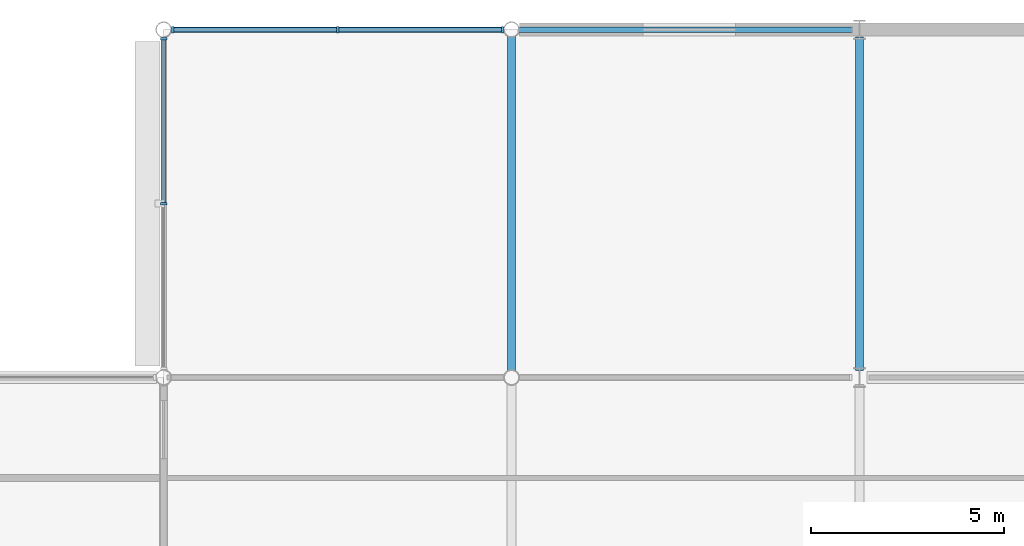
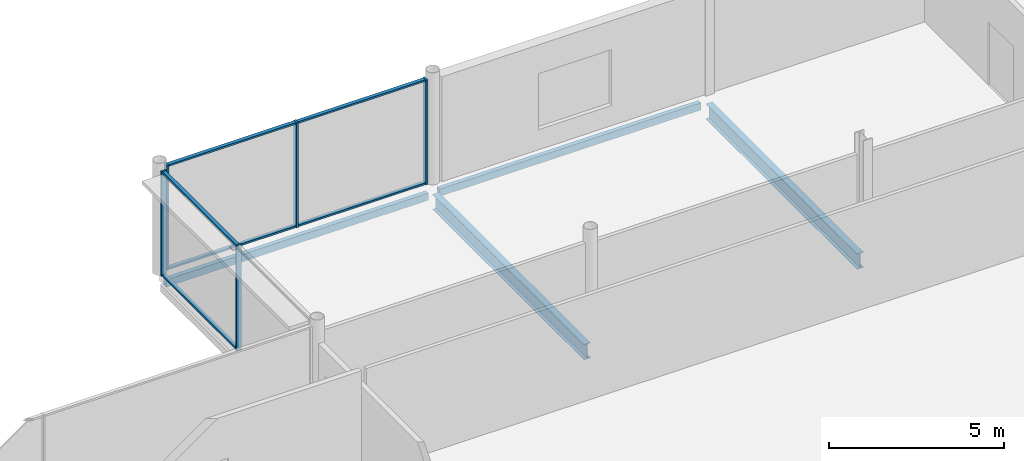
# One storey, part 49 of 96: 11 members, 4 beams, 2 elements without a shape of their own.
"""IFC4 building model written with IfcOpenShell, lengths in metres."""

from ifc_helpers import new_model, si_unit, direction, frame, origin, origin_2d, place, context, subcontext, project, spatial, rectangle, hollow_rectangle, i_section, extrude, material, layer, layer_set, material_profile, profile_set, type_object, element, aggregate, save


model = new_model("IFC4")

# Units and contexts
model_context = context("Model", 3, precision=1e-05, world=origin(), true_north=direction((0.0, 1.0)))
body_context = subcontext(model_context, "Body", "Model", "MODEL_VIEW")
ifc_project = project(units=[si_unit("LENGTHUNIT", "METRE"), si_unit("AREAUNIT", "SQUARE_METRE"), si_unit("VOLUMEUNIT", "CUBIC_METRE"), si_unit("PLANEANGLEUNIT", "RADIAN"), si_unit("MASSUNIT", "GRAM", prefix="KILO")], contexts=[model_context])

# Site, building, storey
site_placement = place(None, origin())
site = spatial("IfcSite", under=ifc_project, at=site_placement, CompositionType="ELEMENT")
building_placement = place(site_placement, origin())
building = spatial("IfcBuilding", under=site, at=building_placement, Name="Kisiwana Market Hall", CompositionType="ELEMENT")
storey_placement = place(building_placement, frame((0.0, 0.0, 25.5)))
storey = spatial("IfcBuildingStorey", under=building, at=storey_placement, Name="L05", CompositionType="ELEMENT", Elevation=25.5)

# Beams
ifc_material_1 = material(Name="Steel S355", Category="steel")
ifc_material_profile_1 = material_profile(ifc_material_1, i_section(OverallWidth=0.209228515625, OverallDepth=0.533203125, WebThickness=0.010009765625, FlangeThickness=0.015625, at=origin_2d()), Name="UB 533x210x92")
ifc_profile_set_1 = profile_set([ifc_material_profile_1], Name="Steel S355")
beam_type_1 = type_object("IfcBeamType", Name="BM-GIRD-UB533", PredefinedType="BEAM", material=ifc_profile_set_1)
beam_1_placement = place(storey_placement, frame((162.0, 102.18017578125, -0.58154296875), z_axis=(0.0, 1.0, 0.0), x_axis=(-1.0, 0.0, 0.0)))
element("IfcBeam", 1, at=beam_1_placement, inside=storey, type_object=beam_type_1, Name="Primary girder B-1556", PredefinedType="BEAM", context=body_context, shape_type="SweptSolid", body=[
    extrude(i_section(OverallWidth=0.209228515625, OverallDepth=0.533203125, WebThickness=0.010009765625, FlangeThickness=0.015625, at=origin_2d()), origin(), (0.0, 0.0, 1.0), 8.6396484375),
])
beam_2_placement = place(storey_placement, frame((171.0, 102.1865234375, -0.58154296875), z_axis=(0.0, 1.0, 0.0), x_axis=(-1.0, 0.0, 0.0)))
element("IfcBeam", 2, at=beam_2_placement, inside=storey, type_object=beam_type_1, Name="Primary girder B-1560", PredefinedType="BEAM", context=body_context, shape_type="SweptSolid", body=[
    extrude(i_section(OverallWidth=0.209228515625, OverallDepth=0.533203125, WebThickness=0.010009765625, FlangeThickness=0.015625, at=origin_2d()), origin(), (0.0, 0.0, 1.0), 8.626953125),
])
ifc_material_2 = material(Name="Steel S355", Category="steel")
ifc_material_profile_2 = material_profile(ifc_material_2, hollow_rectangle(XDim=0.14990234375, YDim=0.25, WallThickness=0.010009765625, at=origin_2d()), Name="RHS 250x150x10.0")
ifc_profile_set_2 = profile_set([ifc_material_profile_2], Name="Steel S355")
beam_type_2 = type_object("IfcBeamType", Name="BM-SPAN-RHS250", PredefinedType="SPANDREL", material=ifc_profile_set_2)
beam_3_placement = place(storey_placement, frame((153.182373046875, 111.0, -0.43994140625), z_axis=(1.0, 0.0, 0.0), x_axis=(0.0, 1.0, 0.0)))
element("IfcBeam", 3, at=beam_3_placement, inside=storey, type_object=beam_type_2, Name="Floor beam B-1665", PredefinedType="SPANDREL", context=body_context, shape_type="SweptSolid", body=[
    extrude(hollow_rectangle(XDim=0.14990234375, YDim=0.25, WallThickness=0.010009765625, at=origin_2d()), origin(), (0.0, 0.0, 1.0), 8.63525390625),
])
beam_4_placement = place(storey_placement, frame((162.182373046875, 111.0, -0.43994140625), z_axis=(1.0, 0.0, 0.0), x_axis=(0.0, 1.0, 0.0)))
element("IfcBeam", 4, at=beam_4_placement, inside=storey, type_object=beam_type_2, Name="Floor beam B-1666", PredefinedType="SPANDREL", context=body_context, shape_type="SweptSolid", body=[
    extrude(hollow_rectangle(XDim=0.14990234375, YDim=0.25, WallThickness=0.010009765625, at=origin_2d()), origin(), (0.0, 0.0, 1.0), 8.624267578125),
])

# Curtain wall, members
ifc_material_3 = material(Name="Double-glazed solar-control low-E IGU", Category="glass")
ifc_layer = layer(ifc_material_3, 0.159912109375)
ifc_layer_set = layer_set([ifc_layer], Name="CW-ZNA-EW-8200")
curtain_wall_type = type_object("IfcCurtainWallType", Name="CW-ZNA-EW-8200", PredefinedType="USERDEFINED", material=ifc_layer_set)
curtain_wall_1_placement = place(storey_placement, origin())
curtain_wall_1 = element("IfcCurtainWall", 5, at=curtain_wall_1_placement, inside=storey, type_object=curtain_wall_type, Name="Unitised curtain wall CW-158 (L05)", ObjectType="UNITISED CURTAIN WALL", PredefinedType="USERDEFINED")
ifc_material_4 = material(Name="Aluminium alloy 6063-T6", Category="aluminium")
ifc_material_profile_3 = material_profile(ifc_material_4, rectangle(XDim=0.06005859375, YDim=0.159912109375, at=origin_2d()), Name="ALU MULLION 60x160")
ifc_profile_set_3 = profile_set([ifc_material_profile_3], Name="Aluminium alloy 6063-T6")
member_type_1 = type_object("IfcMemberType", Name="CW-MULL-60x160", PredefinedType="MULLION", material=ifc_profile_set_3)
member_1_placement = place(storey_placement, frame((153.233154296875, 111.0, 0.0), z_axis=(0.0, 0.0, 1.0), x_axis=(1.0, 0.0, 0.0)))
member_1 = element("IfcMember", 6, at=member_1_placement, type_object=member_type_1, Name="CW-158 mullion 1", PredefinedType="MULLION", context=body_context, shape_type="SweptSolid", body=[
    extrude(rectangle(XDim=0.06005859375, YDim=0.159912109375, at=origin_2d()), origin(), (0.0, 0.0, 1.0), 3.655029296875),
])
member_2_placement = place(storey_placement, frame((157.5, 111.0, 0.0), z_axis=(0.0, 0.0, 1.0), x_axis=(1.0, 0.0, 0.0)))
member_2 = element("IfcMember", 7, at=member_2_placement, type_object=member_type_1, Name="CW-158 mullion 2", PredefinedType="MULLION", context=body_context, shape_type="SweptSolid", body=[
    extrude(rectangle(XDim=0.06005859375, YDim=0.159912109375, at=origin_2d()), origin(), (0.0, 0.0, 1.0), 3.655029296875),
])
member_3_placement = place(storey_placement, frame((161.766845703125, 111.0, 0.0), z_axis=(0.0, 0.0, 1.0), x_axis=(1.0, 0.0, 0.0)))
member_3 = element("IfcMember", 8, at=member_3_placement, type_object=member_type_1, Name="CW-158 mullion 3", PredefinedType="MULLION", context=body_context, shape_type="SweptSolid", body=[
    extrude(rectangle(XDim=0.06005859375, YDim=0.159912109375, at=origin_2d()), origin(), (0.0, 0.0, 1.0), 3.655029296875),
])

curtain_wall_2_placement = place(storey_placement, origin())
curtain_wall_2 = element("IfcCurtainWall", 9, at=curtain_wall_2_placement, inside=storey, type_object=curtain_wall_type, Name="Unitised curtain wall CW-167 (L05)", ObjectType="UNITISED CURTAIN WALL", PredefinedType="USERDEFINED")
member_4_placement = place(storey_placement, frame((153.0, 106.5, 0.0), z_axis=(0.0, 0.0, 1.0), x_axis=(0.0, 1.0, 0.0)))
member_4 = element("IfcMember", 10, at=member_4_placement, type_object=member_type_1, Name="CW-167 mullion 2", PredefinedType="MULLION", context=body_context, shape_type="SweptSolid", body=[
    extrude(rectangle(XDim=0.06005859375, YDim=0.159912109375, at=origin_2d()), origin(), (0.0, 0.0, 1.0), 3.655029296875),
])
member_5_placement = place(storey_placement, frame((153.0, 110.766845703125, 0.0), z_axis=(0.0, 0.0, 1.0), x_axis=(0.0, 1.0, 0.0)))
member_5 = element("IfcMember", 11, at=member_5_placement, type_object=member_type_1, Name="CW-167 mullion 3", PredefinedType="MULLION", context=body_context, shape_type="SweptSolid", body=[
    extrude(rectangle(XDim=0.06005859375, YDim=0.159912109375, at=origin_2d()), origin(), (0.0, 0.0, 1.0), 3.655029296875),
])

# Member
ifc_material_5 = material(Name="Aluminium alloy 6063-T6", Category="aluminium")
ifc_material_profile_4 = material_profile(ifc_material_5, rectangle(XDim=0.1201171875, YDim=0.06005859375, at=origin_2d()), Name="ALU TRANSOM 60x120")
ifc_profile_set_4 = profile_set([ifc_material_profile_4], Name="Aluminium alloy 6063-T6")
member_type_2 = type_object("IfcMemberType", Name="CW-TRAN-60x120", PredefinedType="USERDEFINED", material=ifc_profile_set_4)
member_6_placement = place(storey_placement, frame((153.26318359375, 111.0, 0.030029296875), z_axis=(1.0, 0.0, 0.0), x_axis=(0.0, 1.0, 0.0)))
member_6 = element("IfcMember", 12, at=member_6_placement, type_object=member_type_2, Name="CW-158 transom 1.1", ObjectType="TRANSOM", PredefinedType="USERDEFINED", context=body_context, shape_type="SweptSolid", body=[
    extrude(rectangle(XDim=0.1201171875, YDim=0.06005859375, at=origin_2d()), origin(), (0.0, 0.0, 1.0), 4.206787109375),
])

member_7_placement = place(storey_placement, frame((153.26318359375, 111.0, 3.625), z_axis=(1.0, 0.0, 0.0), x_axis=(0.0, 1.0, 0.0)))
member_7 = element("IfcMember", 13, at=member_7_placement, type_object=member_type_2, Name="CW-158 transom 1.2", ObjectType="TRANSOM", PredefinedType="USERDEFINED", context=body_context, shape_type="SweptSolid", body=[
    extrude(rectangle(XDim=0.1201171875, YDim=0.06005859375, at=origin_2d()), origin(), (0.0, 0.0, 1.0), 4.206787109375),
])

member_8_placement = place(storey_placement, frame((157.530029296875, 111.0, 0.030029296875), z_axis=(1.0, 0.0, 0.0), x_axis=(0.0, 1.0, 0.0)))
member_8 = element("IfcMember", 14, at=member_8_placement, type_object=member_type_2, Name="CW-158 transom 2.1", ObjectType="TRANSOM", PredefinedType="USERDEFINED", context=body_context, shape_type="SweptSolid", body=[
    extrude(rectangle(XDim=0.1201171875, YDim=0.06005859375, at=origin_2d()), origin(), (0.0, 0.0, 1.0), 4.206787109375),
])

member_9_placement = place(storey_placement, frame((157.530029296875, 111.0, 3.625), z_axis=(1.0, 0.0, 0.0), x_axis=(0.0, 1.0, 0.0)))
member_9 = element("IfcMember", 15, at=member_9_placement, type_object=member_type_2, Name="CW-158 transom 2.2", ObjectType="TRANSOM", PredefinedType="USERDEFINED", context=body_context, shape_type="SweptSolid", body=[
    extrude(rectangle(XDim=0.1201171875, YDim=0.06005859375, at=origin_2d()), origin(), (0.0, 0.0, 1.0), 4.206787109375),
])

aggregate(curtain_wall_1, [member_1, member_2, member_3, member_6, member_7, member_8, member_9])

member_10_placement = place(storey_placement, frame((153.0, 106.530029296875, 0.030029296875), z_axis=(0.0, 1.0, 0.0), x_axis=(-1.0, 0.0, 0.0)))
member_10 = element("IfcMember", 16, at=member_10_placement, type_object=member_type_2, Name="CW-167 transom 2.1", ObjectType="TRANSOM", PredefinedType="USERDEFINED", context=body_context, shape_type="SweptSolid", body=[
    extrude(rectangle(XDim=0.1201171875, YDim=0.06005859375, at=origin_2d()), origin(), (0.0, 0.0, 1.0), 4.206787109375),
])

member_11_placement = place(storey_placement, frame((153.0, 106.530029296875, 3.625), z_axis=(0.0, 1.0, 0.0), x_axis=(-1.0, 0.0, 0.0)))
member_11 = element("IfcMember", 17, at=member_11_placement, type_object=member_type_2, Name="CW-167 transom 2.2", ObjectType="TRANSOM", PredefinedType="USERDEFINED", context=body_context, shape_type="SweptSolid", body=[
    extrude(rectangle(XDim=0.1201171875, YDim=0.06005859375, at=origin_2d()), origin(), (0.0, 0.0, 1.0), 4.206787109375),
])

aggregate(curtain_wall_2, [member_4, member_5, member_10, member_11])

save(model, "model.ifc")
